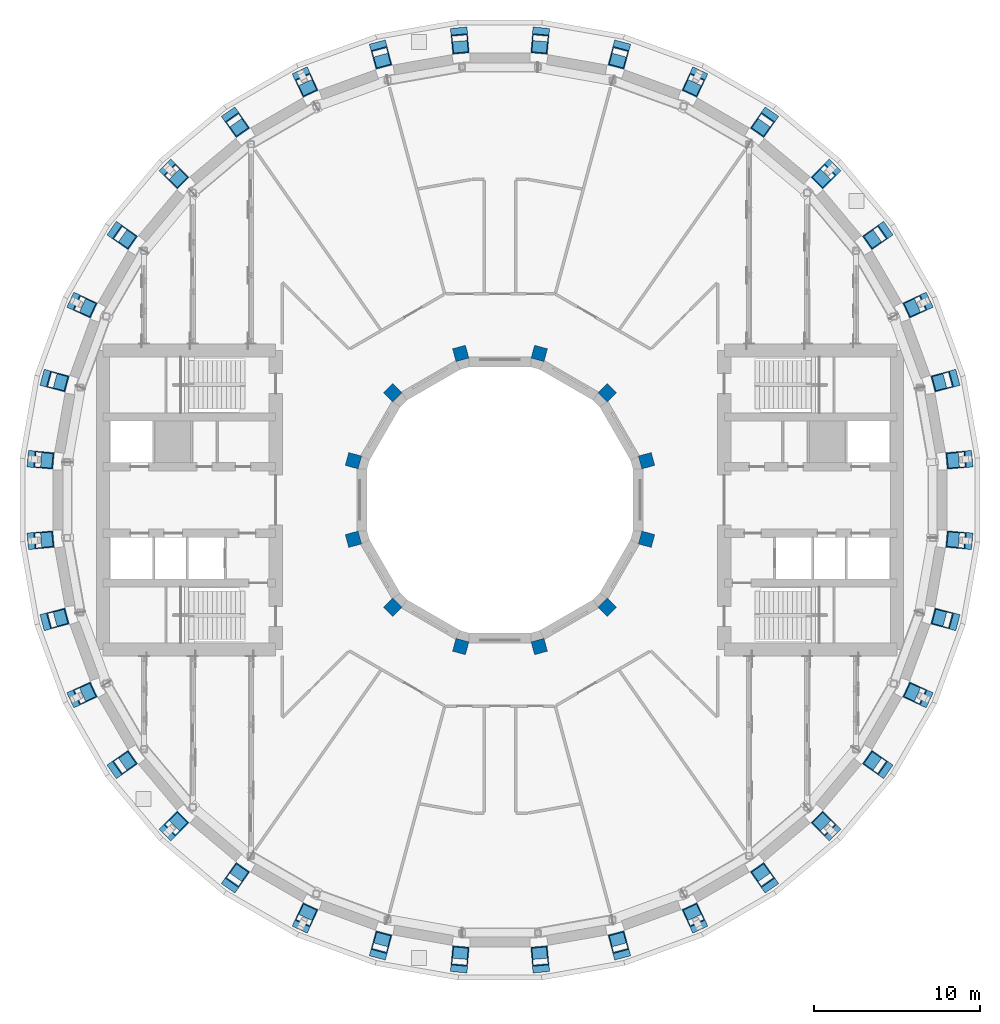
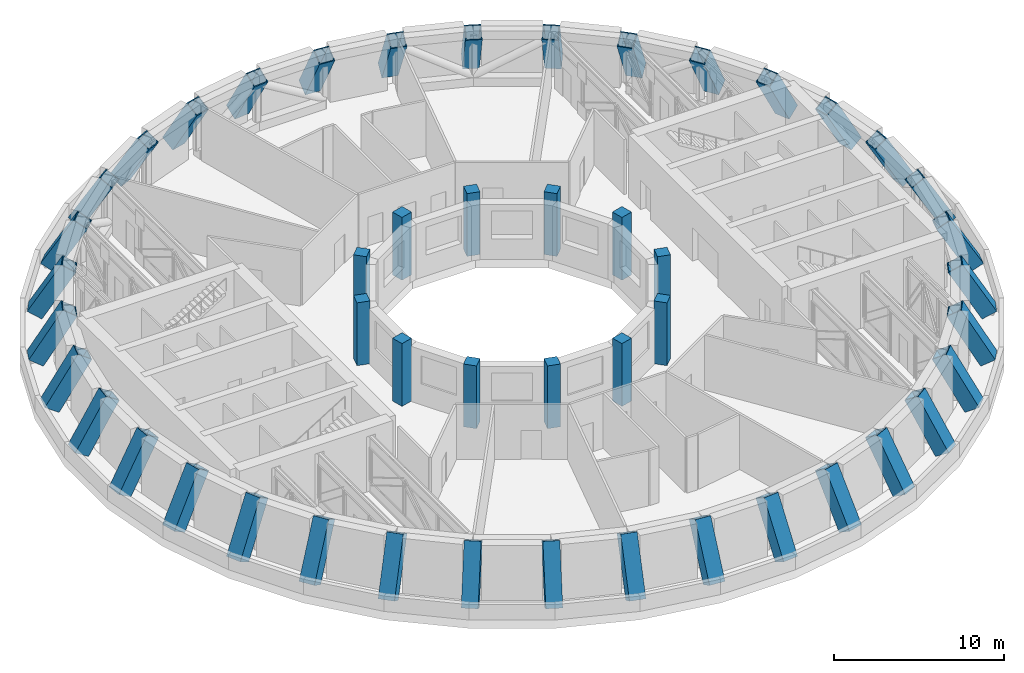
# One storey, part 1 of 19: 48 columns.
"""IFC4 building model written with IfcOpenShell, lengths in metres."""

from ifc_helpers import new_model, si_unit, direction, frame, origin, origin_2d, place, context, subcontext, project, spatial, rectangle, hollow_rectangle, extrude, material, material_profile, profile_set, type_object, element, save


model = new_model("IFC4")

# Units and contexts
model_context = context("Model", 3, precision=1e-05, world=origin(), true_north=direction((0.0, 1.0)))
body_context = subcontext(model_context, "Body", "Model", "MODEL_VIEW")
ifc_project = project(units=[si_unit("LENGTHUNIT", "METRE"), si_unit("AREAUNIT", "SQUARE_METRE"), si_unit("VOLUMEUNIT", "CUBIC_METRE"), si_unit("PLANEANGLEUNIT", "RADIAN"), si_unit("MASSUNIT", "GRAM", prefix="KILO")], contexts=[model_context])

# Site, building, storey
site_placement = place(None, origin())
site = spatial("IfcSite", under=ifc_project, at=site_placement, CompositionType="ELEMENT")
building_placement = place(site_placement, origin())
building = spatial("IfcBuilding", under=site, at=building_placement, Name="Saqina Gate Tower", CompositionType="ELEMENT")
storey_placement = place(building_placement, frame((0.0, 0.0, 82.39990234375)))
storey = spatial("IfcBuildingStorey", under=building, at=storey_placement, Name="L23", CompositionType="ELEMENT", Elevation=82.39990234375)

# Columns
ifc_material_1 = material(Name="Concrete C70/85", Category="concrete")
ifc_material_profile_1 = material_profile(ifc_material_1, rectangle(XDim=0.800048828125, YDim=0.800048828125, at=origin_2d()), Name="RC 800x800")
ifc_profile_set_1 = profile_set([ifc_material_profile_1], Name="Concrete C70/85")
column_type_1 = type_object("IfcColumnType", Name="STR-COL-IN-B", PredefinedType="COLUMN", material=ifc_profile_set_1)
for number, where, z_axis, x_axis, name in (
    (1, (8.821044921875, 2.363525390625, 0.0), (0.0, 0.0, 1.0), (0.965925826289, 0.258819045103, 0.0), "L23-ICL01"),
    (2, (6.45751953125, 6.45751953125, 0.0), (0.0, 0.0, 1.0), (0.707106781187, 0.707106781187, 0.0), "L23-ICL02"),
    (3, (2.363525390625, 8.821044921875, 0.0), (0.0, 0.0, 1.0), (0.258819045103, 0.965925826289, 0.0), "L23-ICL03"),
    (4, (-2.363525390625, 8.821044921875, 0.0), (0.0, 0.0, 1.0), (-0.258819045103, 0.965925826289, 0.0), "L23-ICL04"),
    (5, (-6.45751953125, 6.45751953125, 0.0), (0.0, 0.0, 1.0), (-0.707106781187, 0.707106781187, 0.0), "L23-ICL05"),
    (6, (-8.821044921875, 2.363525390625, 0.0), (0.0, 0.0, 1.0), (-0.965925826289, 0.258819045103, 0.0), "L23-ICL06"),
    (7, (-8.821044921875, -2.363525390625, 0.0), (0.0, 0.0, 1.0), (-0.965925826289, -0.258819045103, 0.0), "L23-ICL07"),
    (8, (-6.45751953125, -6.45751953125, 0.0), (0.0, 0.0, 1.0), (-0.707106781187, -0.707106781187, 0.0), "L23-ICL08"),
    (9, (-2.363525390625, -8.821044921875, 0.0), (0.0, 0.0, 1.0), (-0.258819045103, -0.965925826289, 0.0), "L23-ICL09"),
    (10, (2.363525390625, -8.821044921875, 0.0), (0.0, 0.0, 1.0), (0.258819045103, -0.965925826289, 0.0), "L23-ICL10"),
    (11, (6.45751953125, -6.45751953125, 0.0), (0.0, 0.0, 1.0), (0.707106781187, -0.707106781187, 0.0), "L23-ICL11"),
    (12, (8.821044921875, -2.363525390625, 0.0), (0.0, 0.0, 1.0), (0.965925826289, -0.258819045103, 0.0), "L23-ICL12"),
):
    element("IfcColumn", number, at=place(storey_placement, frame(where, z_axis=z_axis, x_axis=x_axis)), inside=storey, type_object=column_type_1, Name=name, PredefinedType="COLUMN", context=body_context, shape_type="SweptSolid", body=[
        extrude(rectangle(XDim=0.800048828125, YDim=0.800048828125, at=origin_2d()), origin(), (0.0, 0.0, 1.0), 4.5),
    ])
ifc_material_2 = material(Name="Steel S460", Category="steel")
ifc_material_profile_2 = material_profile(ifc_material_2, hollow_rectangle(XDim=1.0, YDim=1.0, WallThickness=0.06005859375, at=origin_2d()), Name="BOX 1000x1000x60")
ifc_profile_set_2 = profile_set([ifc_material_profile_2], Name="Steel S460")
column_type_2 = type_object("IfcColumnType", Name="STR-INCLINED COLUMN L23-BOX 1000x1000x60", PredefinedType="COLUMN", material=ifc_profile_set_2)
for number, where, z_axis, x_axis, name in (
    (13, (27.9931640625, 2.448974609375, 0.2509765625), (-0.49982047635, -0.043728932743, 0.865024434257), (0.087156350505, -0.99619464492, 0.0), "INCLINED COLUMN L23 01"),
    (14, (27.142578125, 7.272705078125, 0.2509765625), (-0.484633304189, -0.129839833803, 0.865027270107), (0.258786931944, -0.965934430412, 0.0), "INCLINED COLUMN L23 02"),
    (15, (25.46728515625, 11.87548828125, 0.2509765625), (-0.454740441916, -0.212028472715, 0.865017373955), (0.422584737529, -0.906323418878, 0.0), "INCLINED COLUMN L23 03"),
):
    element("IfcColumn", number, at=place(storey_placement, frame(where, z_axis=z_axis, x_axis=x_axis)), inside=storey, type_object=column_type_2, Name=name, PredefinedType="COLUMN", context=body_context, shape_type="SweptSolid", body=[
        extrude(hollow_rectangle(XDim=1.0, YDim=1.0, WallThickness=0.06005859375, at=origin_2d()), origin(), (0.0, 0.0, 1.0), 3.986328125),
    ])
for number, where, z_axis, x_axis, name in (
    (16, (23.01806640625, 16.117431640625, 0.2509765625), (-0.410966626418, -0.287737885382, 0.86505106282), (0.573544276158, -0.819174562158, 0.0), "INCLINED COLUMN L23 04"),
    (17, (19.86962890625, 19.86962890625, 0.2509765625), (-0.354742498461, -0.354742498461, 0.865052321869), (0.707106781187, -0.707106781187, 0.0), "INCLINED COLUMN L23 05"),
    (18, (16.117431640625, 23.01806640625, 0.2509765625), (-0.287737885382, -0.410966626418, 0.86505106282), (0.819174562158, -0.573544276158, 0.0), "INCLINED COLUMN L23 06"),
):
    element("IfcColumn", number, at=place(storey_placement, frame(where, z_axis=z_axis, x_axis=x_axis)), inside=storey, type_object=column_type_2, Name=name, PredefinedType="COLUMN", context=body_context, shape_type="SweptSolid", body=[
        extrude(hollow_rectangle(XDim=1.0, YDim=1.0, WallThickness=0.06005859375, at=origin_2d()), origin(), (0.0, 0.0, 1.0), 3.986083984375),
    ])
for number, where, z_axis, x_axis, name in (
    (19, (11.87548828125, 25.46728515625, 0.2509765625), (-0.212028472715, -0.454740441916, 0.865017373955), (0.906323418878, -0.422584737529, 0.0), "INCLINED COLUMN L23 07"),
    (20, (7.272705078125, 27.142578125, 0.2509765625), (-0.129839833803, -0.484633304189, 0.865027270107), (0.965934430412, -0.258786931944, 0.0), "INCLINED COLUMN L23 08"),
    (21, (2.448974609375, 27.9931640625, 0.2509765625), (-0.043728932743, -0.49982047635, 0.865024434257), (0.99619464492, -0.087156350505, 0.0), "INCLINED COLUMN L23 09"),
    (22, (-2.448974609375, 27.9931640625, 0.2509765625), (0.043728932743, -0.49982047635, 0.865024434257), (0.99619464492, 0.087156350505, 0.0), "INCLINED COLUMN L23 10"),
    (23, (-7.272705078125, 27.142578125, 0.2509765625), (0.129839833803, -0.484633304189, 0.865027270107), (0.965934430412, 0.258786931944, 0.0), "INCLINED COLUMN L23 11"),
    (24, (-11.87548828125, 25.46728515625, 0.2509765625), (0.212028472715, -0.454740441916, 0.865017373955), (0.906323418878, 0.422584737529, 0.0), "INCLINED COLUMN L23 12"),
):
    element("IfcColumn", number, at=place(storey_placement, frame(where, z_axis=z_axis, x_axis=x_axis)), inside=storey, type_object=column_type_2, Name=name, PredefinedType="COLUMN", context=body_context, shape_type="SweptSolid", body=[
        extrude(hollow_rectangle(XDim=1.0, YDim=1.0, WallThickness=0.06005859375, at=origin_2d()), origin(), (0.0, 0.0, 1.0), 3.986328125),
    ])
for number, where, z_axis, x_axis, name in (
    (25, (-16.117431640625, 23.01806640625, 0.2509765625), (0.287737885382, -0.410966626418, 0.86505106282), (0.819174562158, 0.573544276158, 0.0), "INCLINED COLUMN L23 13"),
    (26, (-19.86962890625, 19.86962890625, 0.2509765625), (0.354742498461, -0.354742498461, 0.865052321869), (0.707106781187, 0.707106781187, 0.0), "INCLINED COLUMN L23 14"),
    (27, (-23.01806640625, 16.117431640625, 0.2509765625), (0.410966626418, -0.287737885382, 0.86505106282), (0.573544276158, 0.819174562158, 0.0), "INCLINED COLUMN L23 15"),
):
    element("IfcColumn", number, at=place(storey_placement, frame(where, z_axis=z_axis, x_axis=x_axis)), inside=storey, type_object=column_type_2, Name=name, PredefinedType="COLUMN", context=body_context, shape_type="SweptSolid", body=[
        extrude(hollow_rectangle(XDim=1.0, YDim=1.0, WallThickness=0.06005859375, at=origin_2d()), origin(), (0.0, 0.0, 1.0), 3.986083984375),
    ])
for number, where, z_axis, x_axis, name in (
    (28, (-25.46728515625, 11.87548828125, 0.2509765625), (0.454740441916, -0.212028472715, 0.865017373955), (0.422584737529, 0.906323418878, 0.0), "INCLINED COLUMN L23 16"),
    (29, (-27.142578125, 7.272705078125, 0.2509765625), (0.484633304189, -0.129839833803, 0.865027270107), (0.258786931944, 0.965934430412, 0.0), "INCLINED COLUMN L23 17"),
    (30, (-27.9931640625, 2.448974609375, 0.2509765625), (0.49982047635, -0.043728932743, 0.865024434257), (0.087156350505, 0.99619464492, 0.0), "INCLINED COLUMN L23 18"),
    (31, (-27.9931640625, -2.448974609375, 0.2509765625), (0.49982047635, 0.043728932743, 0.865024434257), (-0.087156350505, 0.99619464492, 0.0), "INCLINED COLUMN L23 19"),
    (32, (-27.142578125, -7.272705078125, 0.2509765625), (0.484633304189, 0.129839833803, 0.865027270107), (-0.258786931944, 0.965934430412, 0.0), "INCLINED COLUMN L23 20"),
    (33, (-25.46728515625, -11.87548828125, 0.2509765625), (0.454740441916, 0.212028472715, 0.865017373955), (-0.422584737529, 0.906323418878, 0.0), "INCLINED COLUMN L23 21"),
):
    element("IfcColumn", number, at=place(storey_placement, frame(where, z_axis=z_axis, x_axis=x_axis)), inside=storey, type_object=column_type_2, Name=name, PredefinedType="COLUMN", context=body_context, shape_type="SweptSolid", body=[
        extrude(hollow_rectangle(XDim=1.0, YDim=1.0, WallThickness=0.06005859375, at=origin_2d()), origin(), (0.0, 0.0, 1.0), 3.986328125),
    ])
for number, where, z_axis, x_axis, name in (
    (34, (-23.01806640625, -16.117431640625, 0.2509765625), (0.410966626418, 0.287737885382, 0.86505106282), (-0.573544276158, 0.819174562158, 0.0), "INCLINED COLUMN L23 22"),
    (35, (-19.86962890625, -19.86962890625, 0.2509765625), (0.354742498461, 0.354742498461, 0.865052321869), (-0.707106781187, 0.707106781187, 0.0), "INCLINED COLUMN L23 23"),
    (36, (-16.117431640625, -23.01806640625, 0.2509765625), (0.287737885382, 0.410966626418, 0.86505106282), (-0.819174562158, 0.573544276158, 0.0), "INCLINED COLUMN L23 24"),
):
    element("IfcColumn", number, at=place(storey_placement, frame(where, z_axis=z_axis, x_axis=x_axis)), inside=storey, type_object=column_type_2, Name=name, PredefinedType="COLUMN", context=body_context, shape_type="SweptSolid", body=[
        extrude(hollow_rectangle(XDim=1.0, YDim=1.0, WallThickness=0.06005859375, at=origin_2d()), origin(), (0.0, 0.0, 1.0), 3.986083984375),
    ])
for number, where, z_axis, x_axis, name in (
    (37, (-11.87548828125, -25.46728515625, 0.2509765625), (0.212028472715, 0.454740441916, 0.865017373955), (-0.906323418878, 0.422584737529, 0.0), "INCLINED COLUMN L23 25"),
    (38, (-7.272705078125, -27.142578125, 0.2509765625), (0.129839833803, 0.484633304189, 0.865027270107), (-0.965934430412, 0.258786931944, 0.0), "INCLINED COLUMN L23 26"),
    (39, (-2.448974609375, -27.9931640625, 0.2509765625), (0.043728932743, 0.49982047635, 0.865024434257), (-0.99619464492, 0.087156350505, 0.0), "INCLINED COLUMN L23 27"),
    (40, (2.448974609375, -27.9931640625, 0.2509765625), (-0.043728932743, 0.49982047635, 0.865024434257), (-0.99619464492, -0.087156350505, 0.0), "INCLINED COLUMN L23 28"),
    (41, (7.272705078125, -27.142578125, 0.2509765625), (-0.129839833803, 0.484633304189, 0.865027270107), (-0.965934430412, -0.258786931944, 0.0), "INCLINED COLUMN L23 29"),
    (42, (11.87548828125, -25.46728515625, 0.2509765625), (-0.212028472715, 0.454740441916, 0.865017373955), (-0.906323418878, -0.422584737529, 0.0), "INCLINED COLUMN L23 30"),
):
    element("IfcColumn", number, at=place(storey_placement, frame(where, z_axis=z_axis, x_axis=x_axis)), inside=storey, type_object=column_type_2, Name=name, PredefinedType="COLUMN", context=body_context, shape_type="SweptSolid", body=[
        extrude(hollow_rectangle(XDim=1.0, YDim=1.0, WallThickness=0.06005859375, at=origin_2d()), origin(), (0.0, 0.0, 1.0), 3.986328125),
    ])
for number, where, z_axis, x_axis, name in (
    (43, (16.117431640625, -23.01806640625, 0.2509765625), (-0.287737885382, 0.410966626418, 0.86505106282), (-0.819174562158, -0.573544276158, 0.0), "INCLINED COLUMN L23 31"),
    (44, (19.86962890625, -19.86962890625, 0.2509765625), (-0.354742498461, 0.354742498461, 0.865052321869), (-0.707106781187, -0.707106781187, 0.0), "INCLINED COLUMN L23 32"),
    (45, (23.01806640625, -16.117431640625, 0.2509765625), (-0.410966626418, 0.287737885382, 0.86505106282), (-0.573544276158, -0.819174562158, 0.0), "INCLINED COLUMN L23 33"),
):
    element("IfcColumn", number, at=place(storey_placement, frame(where, z_axis=z_axis, x_axis=x_axis)), inside=storey, type_object=column_type_2, Name=name, PredefinedType="COLUMN", context=body_context, shape_type="SweptSolid", body=[
        extrude(hollow_rectangle(XDim=1.0, YDim=1.0, WallThickness=0.06005859375, at=origin_2d()), origin(), (0.0, 0.0, 1.0), 3.986083984375),
    ])
for number, where, z_axis, x_axis, name in (
    (46, (25.46728515625, -11.87548828125, 0.2509765625), (-0.454740441916, 0.212028472715, 0.865017373955), (-0.422584737529, -0.906323418878, 0.0), "INCLINED COLUMN L23 34"),
    (47, (27.142578125, -7.272705078125, 0.2509765625), (-0.484633304189, 0.129839833803, 0.865027270107), (-0.258786931944, -0.965934430412, 0.0), "INCLINED COLUMN L23 35"),
    (48, (27.9931640625, -2.448974609375, 0.2509765625), (-0.49982047635, 0.043728932743, 0.865024434257), (-0.087156350505, -0.99619464492, 0.0), "INCLINED COLUMN L23 36"),
):
    element("IfcColumn", number, at=place(storey_placement, frame(where, z_axis=z_axis, x_axis=x_axis)), inside=storey, type_object=column_type_2, Name=name, PredefinedType="COLUMN", context=body_context, shape_type="SweptSolid", body=[
        extrude(hollow_rectangle(XDim=1.0, YDim=1.0, WallThickness=0.06005859375, at=origin_2d()), origin(), (0.0, 0.0, 1.0), 3.986328125),
    ])

save(model, "model.ifc")
